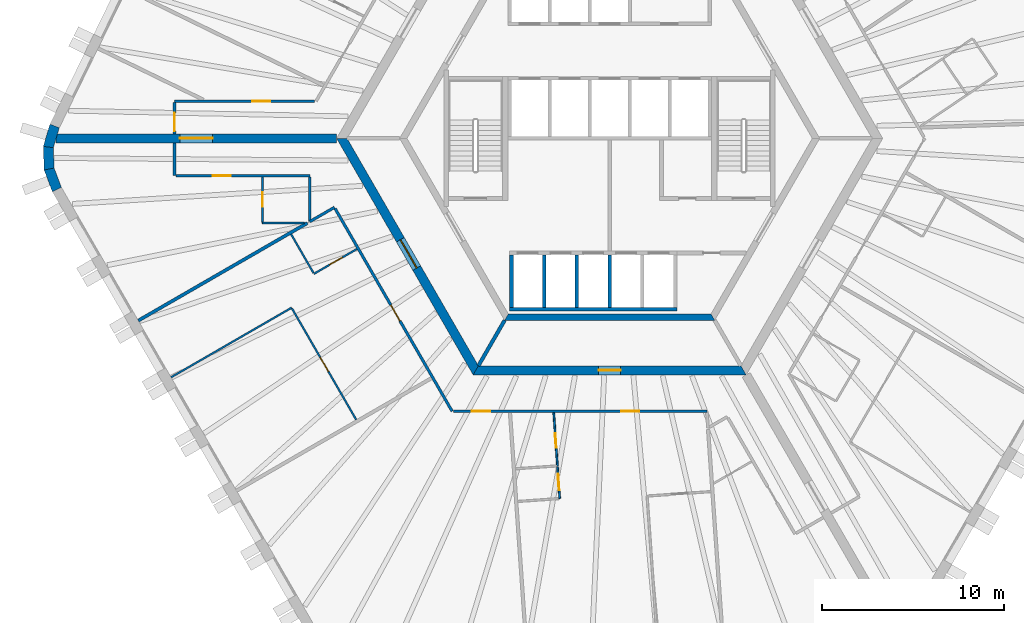
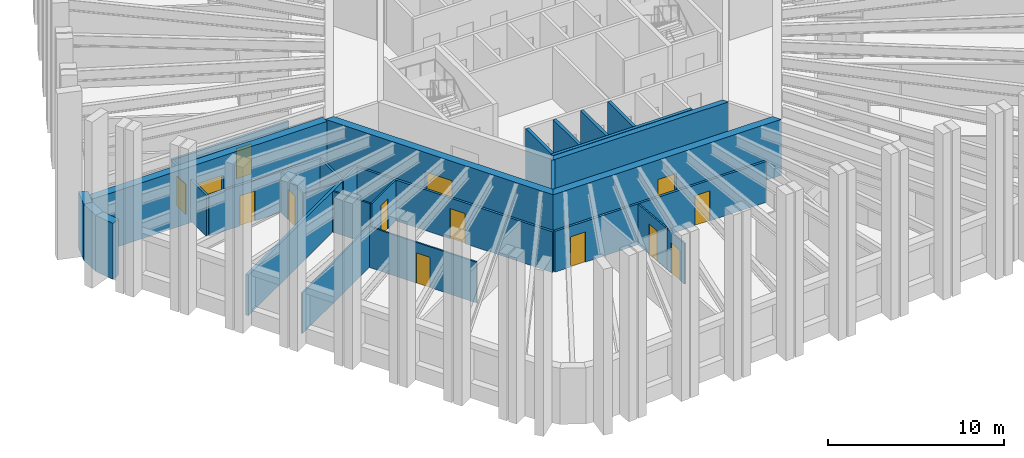
# One storey, part 3 of 10: 30 walls, 14 doors, 14 openings.
"""IFC4 building model written with IfcOpenShell, lengths in metres."""

import ifcopenshell
import ifcopenshell.guid

model = None  # the IFC model being written
_history = None  # IfcOwnerHistory: only IFC2X3 demands one
_inside = {}  # id of a spatial element -> (the spatial element, [elements in it])
_under = {}  # id of a project, library or spatial element -> (it, [spatial elements below it])
_declared = {}  # id of a project -> (the project, [libraries it declares])
_typed = {}  # id of a type object -> (the type object, [elements of that type])
_made_of = {}  # id of a material, layer set ... -> (it, [elements and type objects made of it])


def new_model(schema):
    """Start an empty IFC model of exactly this schema.

    Asked for "IFC4X3", IfcOpenShell would pick the latest addendum, in which some entities
    have other attributes; the version numbers below select the first issue.
    IFC2X3 requires an IfcOwnerHistory on every rooted entity: one is made here for all.
    """
    global model, _history
    if schema == "IFC4X3":
        model = ifcopenshell.file(schema_version=(4, 3, 0, 0))
    else:
        model = ifcopenshell.file(schema=schema)
    _inside.clear()
    _under.clear()
    _declared.clear()
    _typed.clear()
    _made_of.clear()
    _history = None
    if model.schema == "IFC2X3":
        org = make("IfcOrganization", Name="unknown")
        user = make(
            "IfcPersonAndOrganization",
            ThePerson=make("IfcPerson", FamilyName="unknown"),
            TheOrganization=org,
        )
        app = make(
            "IfcApplication",
            ApplicationDeveloper=org,
            Version="unknown",
            ApplicationFullName="unknown",
            ApplicationIdentifier="unknown",
        )
        _history = make(
            "IfcOwnerHistory",
            OwningUser=user,
            OwningApplication=app,
            ChangeAction="ADDED",
            CreationDate=0,
        )
    return model


def make(cls, **values):
    """One entity of the class cls with the attributes given. An attribute that is None is left unset."""
    return model.create_entity(
        cls, **{name: value for name, value in values.items() if value is not None}
    )


def rooted(cls, **values):
    """An entity with a GlobalId (a new one), such as an element, a storey or a relation."""
    return make(cls, GlobalId=ifcopenshell.guid.new(), OwnerHistory=_history, **values)


def si_unit(unit_type, name, prefix=None):
    """IfcSIUnit, for example si_unit("LENGTHUNIT", "METRE", prefix="MILLI")."""
    return make("IfcSIUnit", UnitType=unit_type, Prefix=prefix, Name=name)


def assignment(units):
    """IfcUnitAssignment: the units of a project."""
    return None if units is None else make("IfcUnitAssignment", Units=units)


def point(xyz):
    """IfcCartesianPoint."""
    return None if xyz is None else make("IfcCartesianPoint", Coordinates=xyz)


def direction(xyz):
    """IfcDirection."""
    return None if xyz is None else make("IfcDirection", DirectionRatios=xyz)


def frame(location, z_axis=None, x_axis=None):
    """IfcAxis2Placement3D, a coordinate frame: its origin and axes. An axis left out is left unset."""
    return make(
        "IfcAxis2Placement3D",
        Location=point(location),
        Axis=direction(z_axis),
        RefDirection=direction(x_axis),
    )


def frame_2d(location, x_axis=None):
    """IfcAxis2Placement2D, a coordinate frame in the plane: its origin and x axis."""
    return make(
        "IfcAxis2Placement2D", Location=point(location), RefDirection=direction(x_axis)
    )


def origin():
    """The frame at (0, 0, 0) with its axes left unset."""
    return frame((0.0, 0.0, 0.0))


def place(relative_to, where):
    """IfcLocalPlacement: puts the frame where relative to a parent placement (None: the world)."""
    return make(
        "IfcLocalPlacement", PlacementRelTo=relative_to, RelativePlacement=where
    )


def context(
    kind, dimensions, precision=None, world=None, true_north=None, identifier=None
):
    """IfcGeometricRepresentationContext, for example the 3D "Model" context."""
    return make(
        "IfcGeometricRepresentationContext",
        ContextIdentifier=identifier,
        ContextType=kind,
        CoordinateSpaceDimension=dimensions,
        Precision=precision,
        WorldCoordinateSystem=world,
        TrueNorth=true_north,
    )


def subcontext(parent, identifier, kind, view, scale=None):
    """IfcGeometricRepresentationSubContext, for example "Body" below "Model"."""
    return make(
        "IfcGeometricRepresentationSubContext",
        ContextIdentifier=identifier,
        ContextType=kind,
        ParentContext=parent,
        TargetScale=scale,
        TargetView=view,
    )


def project(units=None, contexts=None):
    """IfcProject with its units and contexts."""
    return rooted(
        "IfcProject",
        Name="project",
        RepresentationContexts=contexts,
        UnitsInContext=assignment(units),
    )


def spatial(cls, under=None, at=None, **own):
    """A site, building, storey or space (cls), placed at a placement, below another one or the project."""
    s = rooted(cls, ObjectPlacement=at, **own)
    if under is not None:
        _under.setdefault(under.id(), (under, []))[1].append(s)
    return s


def polyline(points):
    """IfcPolyline through the points."""
    return make("IfcPolyline", Points=[point(p) for p in points])


def profile(cls, at=None, kind="AREA", **sizes):
    """A parametric profile (cls). Its sizes go by their IFC names, for example OverallWidth=200.0."""
    return make(cls, ProfileType=kind, Position=at, **sizes)


def rectangle(**sizes):
    """IfcRectangleProfileDef."""
    return profile("IfcRectangleProfileDef", **sizes)


def outline(outer, holes=None, kind="AREA"):
    """IfcArbitraryClosedProfileDef: a profile drawn as a closed curve; with holes, ...WithVoids."""
    if holes is None:
        return make("IfcArbitraryClosedProfileDef", ProfileType=kind, OuterCurve=outer)
    return make(
        "IfcArbitraryProfileDefWithVoids",
        ProfileType=kind,
        OuterCurve=outer,
        InnerCurves=holes,
    )


def extrude(swept, where, along, depth):
    """IfcExtrudedAreaSolid: the profile swept, set in the frame where, extruded along a direction by depth."""
    return make(
        "IfcExtrudedAreaSolid",
        SweptArea=swept,
        Position=where,
        ExtrudedDirection=direction(along),
        Depth=depth,
    )


def shape(context_of_items, identifier, shape_type, items):
    """IfcShapeRepresentation: the items that make up one representation, for example the "Body"."""
    return make(
        "IfcShapeRepresentation",
        ContextOfItems=context_of_items,
        RepresentationIdentifier=identifier,
        RepresentationType=shape_type,
        Items=items,
    )


def material(Name=None, Category=None):
    """IfcMaterial."""
    return make("IfcMaterial", Name=Name, Category=Category)


def layer(
    of_material, thickness, ventilated=None, Name=None, Category=None, Priority=None
):
    """IfcMaterialLayer: one layer of a wall or slab, of a material (None: an air gap)."""
    return make(
        "IfcMaterialLayer",
        Material=of_material,
        LayerThickness=thickness,
        IsVentilated=ventilated,
        Name=Name,
        Category=Category,
        Priority=Priority,
    )


def layer_set(layers, Name=None):
    """IfcMaterialLayerSet."""
    return make("IfcMaterialLayerSet", MaterialLayers=layers, LayerSetName=Name)


def made_of(thing, what):
    """Note that an element or type object is made of a material, layer set ...; save() writes the relation."""
    if what is not None:
        _made_of.setdefault(what.id(), (what, []))[1].append(thing)
    return thing


def type_object(cls, material=None, **own):
    """A type object (cls), such as IfcWallType, which elements share."""
    return made_of(rooted(cls, **own), material)


def element(
    cls,
    number,
    at=None,
    inside=None,
    cuts=None,
    type_object=None,
    material=None,
    context=None,
    identifier="Body",
    shape_type=None,
    held_by="IfcProductDefinitionShape",
    body=None,
    shapes=None,
    **own,
):
    """One element of the class cls, such as IfcWall. Its Tag is "e" and its number.

    at: its placement. inside: the storey or other place that contains it. cuts: it is an
    opening in that element (IfcRelVoidsElement). A single representation is given by context,
    identifier, shape_type and body (its items); several are given by shapes. held_by: the class
    of the entity that holds the representations. save() writes the other relations.
    """
    e = rooted(cls, Tag="e%d" % number, ObjectPlacement=at, **own)
    if body is not None:
        shapes = [shape(context, identifier, shape_type, body)]
    if shapes is not None:
        e.Representation = make(held_by, Representations=shapes)
    if inside is not None:
        _inside.setdefault(inside.id(), (inside, []))[1].append(e)
    if cuts is not None:
        rooted(
            "IfcRelVoidsElement", RelatingBuildingElement=cuts, RelatedOpeningElement=e
        )
    if type_object is not None:
        _typed.setdefault(type_object.id(), (type_object, []))[1].append(e)
    return made_of(e, material)


def fill(opening, filler):
    """IfcRelFillsElement: the door or window that sits in an opening."""
    return rooted(
        "IfcRelFillsElement",
        RelatingOpeningElement=opening,
        RelatedBuildingElement=filler,
    )


def aggregate(whole, parts):
    """IfcRelAggregates: a whole, such as a stair, and the parts it consists of."""
    return rooted("IfcRelAggregates", RelatingObject=whole, RelatedObjects=parts)


def save(model, path):
    """Write the relations noted so far, then the file.

    IfcRelAggregates (storeys below a building ...), IfcRelContainedInSpatialStructure (elements
    in a storey), IfcRelDefinesByType, IfcRelAssociatesMaterial and IfcRelDeclares: one each for
    every whole, place, type object, material and project.
    """
    for whole, parts in _under.values():
        aggregate(whole, parts)
    for where, things in _inside.values():
        rooted(
            "IfcRelContainedInSpatialStructure",
            RelatedElements=things,
            RelatingStructure=where,
        )
    for kind, things in _typed.values():
        rooted("IfcRelDefinesByType", RelatedObjects=things, RelatingType=kind)
    for what, things in _made_of.values():
        rooted("IfcRelAssociatesMaterial", RelatedObjects=things, RelatingMaterial=what)
    for by, libraries in _declared.values():
        rooted("IfcRelDeclares", RelatingContext=by, RelatedDefinitions=libraries)
    model.write(path)


model = new_model("IFC4")

# Units and contexts
model_context = context("Model", 3, precision=1e-05, world=origin(), true_north=direction((0.0, 1.0)))
body_context = subcontext(model_context, "Body", "Model", "MODEL_VIEW")
ifc_project = project(units=[si_unit("LENGTHUNIT", "METRE"), si_unit("AREAUNIT", "SQUARE_METRE"), si_unit("VOLUMEUNIT", "CUBIC_METRE"), si_unit("PLANEANGLEUNIT", "RADIAN"), si_unit("MASSUNIT", "GRAM", prefix="KILO")], contexts=[model_context])

# Site, building, storey
site_placement = place(None, origin())
site = spatial("IfcSite", under=ifc_project, at=site_placement, CompositionType="ELEMENT")
building_placement = place(site_placement, origin())
building = spatial("IfcBuilding", under=site, at=building_placement, Name="Tarnside Tower", CompositionType="ELEMENT")
storey_placement = place(building_placement, frame((0.0, 0.0, 238.5)))
storey = spatial("IfcBuildingStorey", under=building, at=storey_placement, Name="L57", CompositionType="ELEMENT", Elevation=238.5)

# Wall
ifc_material_1 = material(Name="Gypsum board partition on steel studs", Category="steel")
ifc_layer_1 = layer(ifc_material_1, 0.10009765625)
ifc_layer_set_1 = layer_set([ifc_layer_1], Name="Bathroom wall 100")
wall_type_1 = type_object("IfcWallType", Name="Bathroom wall 100", PredefinedType="PARTITIONING", material=ifc_layer_set_1)
wall_1_placement = place(storey_placement, frame((-16.79833984375, -4.64990234375, 0.0), z_axis=(0.0, 0.0, 1.0), x_axis=(-1.0, 0.0, 0.0)))
element("IfcWall", 1, at=wall_1_placement, inside=storey, type_object=wall_type_1, Name="Bathroom wall 19075", PredefinedType="PARTITIONING", context=body_context, shape_type="SweptSolid", body=[
    extrude(rectangle(XDim=2.28857421875, YDim=0.10009765625, at=frame_2d((1.144287109375, 0.0))), origin(), (0.0, 0.0, 1.0), 2.837890625),
])

# Wall, opening, door
wall_2_placement = place(storey_placement, frame((-19.0869140625, -4.60009765625, 0.0), z_axis=(0.0, 0.0, 1.0), x_axis=(0.0, 1.0, 0.0)))
wall_2 = element("IfcWall", 2, at=wall_2_placement, inside=storey, type_object=wall_type_1, Name="Bathroom wall 19076", PredefinedType="PARTITIONING", context=body_context, shape_type="SweptSolid", body=[
    extrude(rectangle(XDim=2.47509765625, YDim=0.10009765625, at=frame_2d((1.237548828125, 0.0))), origin(), (0.0, 0.0, 1.0), 2.837890625),
])
opening_1_placement = place(wall_2_placement, frame((0.85009765625, 0.0, 0.0)))
opening_1 = element("IfcOpeningElement", 3, at=opening_1_placement, cuts=wall_2, Name="Opening D-B1", PredefinedType="OPENING", context=body_context, shape_type="SweptSolid", body=[
    extrude(rectangle(XDim=0.800048828125, YDim=2.10009765625, at=frame_2d((0.39990234375, 1.050048828125))), frame((0.0, 0.06005859375, 0.0), z_axis=(0.0, -1.0, 0.0), x_axis=(1.0, 0.0, 0.0)), (0.0, 0.0, 1.0), 0.1201171875),
])
ifc_material_2 = material(Name="Timber door leaf", Category="wood")
door_type_1 = type_object("IfcDoorType", Name="Bathroom door 800", OperationType="NOTDEFINED", PredefinedType="DOOR", material=ifc_material_2)
door_1_placement = place(opening_1_placement, origin())
door_1 = element("IfcDoor", 4, at=door_1_placement, inside=storey, type_object=door_type_1, Name="Bathroom door 19015", OperationType="SINGLE_SWING_RIGHT", OverallHeight=2.10009765625, OverallWidth=0.800048828125, PredefinedType="DOOR", context=body_context, shape_type="SweptSolid", body=[
    extrude(rectangle(XDim=0.800048828125, YDim=2.10009765625, at=frame_2d((0.39990234375, 1.050048828125))), frame((0.0, 0.02490234375, 0.0), z_axis=(0.0, -1.0, 0.0), x_axis=(1.0, 0.0, 0.0)), (0.0, 0.0, 1.0), 0.050048828125),
])
fill(opening_1, door_1)

wall_3_placement = place(storey_placement, frame((-13.896484375, -6.080810546875, 0.0), z_axis=(0.0, 0.0, 1.0), x_axis=(-0.866012511928, -0.500022328685, 0.0)))
wall_3 = element("IfcWall", 5, at=wall_3_placement, inside=storey, type_object=wall_type_1, Name="Bathroom wall 19079", PredefinedType="PARTITIONING", context=body_context, shape_type="SweptSolid", body=[
    extrude(rectangle(XDim=2.72509765625, YDim=0.10009765625, at=frame_2d((1.362548828125, 0.0))), origin(), (0.0, 0.0, 1.0), 2.837890625),
])
opening_2_placement = place(wall_3_placement, frame((0.925048828125, 0.0, 0.0)))
opening_2 = element("IfcOpeningElement", 6, at=opening_2_placement, cuts=wall_3, Name="Opening D-B1", PredefinedType="OPENING", context=body_context, shape_type="SweptSolid", body=[
    extrude(rectangle(XDim=0.800048828125, YDim=2.10009765625, at=frame_2d((0.39990234375, 1.050048828125))), frame((0.0, 0.06005859375, 0.0), z_axis=(0.0, -1.0, 0.0), x_axis=(1.0, 0.0, 0.0)), (0.0, 0.0, 1.0), 0.1201171875),
])
door_2_placement = place(opening_2_placement, origin())
door_2 = element("IfcDoor", 7, at=door_2_placement, inside=storey, type_object=door_type_1, Name="Bathroom door 19017", OperationType="SINGLE_SWING_RIGHT", OverallHeight=2.10009765625, OverallWidth=0.800048828125, PredefinedType="DOOR", context=body_context, shape_type="SweptSolid", body=[
    extrude(rectangle(XDim=0.800048828125, YDim=2.10009765625, at=frame_2d((0.39990234375, 1.050048828125))), frame((0.0, 0.02490234375, 0.0), z_axis=(0.0, -1.0, 0.0), x_axis=(1.0, 0.0, 0.0)), (0.0, 0.0, 1.0), 0.050048828125),
])
fill(opening_2, door_2)

# Wall
wall_4_placement = place(storey_placement, frame((-16.28125, -7.39990234375, 0.0), z_axis=(0.0, 0.0, 1.0), x_axis=(-0.500003092839, 0.866023618125, 0.0)))
element("IfcWall", 8, at=wall_4_placement, inside=storey, type_object=wall_type_1, Name="Bathroom wall 19080", PredefinedType="PARTITIONING", context=body_context, shape_type="SweptSolid", body=[
    extrude(rectangle(XDim=2.4599609375, YDim=0.10009765625, at=frame_2d((1.22998046875, 0.0))), origin(), (0.0, 0.0, 1.0), 2.837890625),
])

# Wall, opening, door
wall_5_placement = place(storey_placement, frame((-3.073974609375, -15.074951171875, 0.0), z_axis=(0.0, 0.0, 1.0), x_axis=(0.069798496539, -0.99756111085, 0.0)))
wall_5 = element("IfcWall", 9, at=wall_5_placement, inside=storey, type_object=wall_type_1, Name="Bathroom wall 19088", PredefinedType="PARTITIONING", context=body_context, shape_type="SweptSolid", body=[
    extrude(rectangle(XDim=2.9345703125, YDim=0.10009765625, at=frame_2d((1.46728515625, 0.0))), origin(), (0.0, 0.0, 1.0), 2.837890625),
])
opening_3_placement = place(wall_5_placement, frame((1.134521484375, 0.0, 0.0)))
opening_3 = element("IfcOpeningElement", 10, at=opening_3_placement, cuts=wall_5, Name="Opening D-B1", PredefinedType="OPENING", context=body_context, shape_type="SweptSolid", body=[
    extrude(rectangle(XDim=0.800048828125, YDim=2.10009765625, at=frame_2d((0.39990234375, 1.050048828125))), frame((0.0, 0.06005859375, 0.0), z_axis=(0.0, -1.0, 0.0), x_axis=(1.0, 0.0, 0.0)), (0.0, 0.0, 1.0), 0.1201171875),
])
door_3_placement = place(opening_3_placement, origin())
door_3 = element("IfcDoor", 11, at=door_3_placement, inside=storey, type_object=door_type_1, Name="Bathroom door 19021", OperationType="SINGLE_SWING_LEFT", OverallHeight=2.10009765625, OverallWidth=0.800048828125, PredefinedType="DOOR", context=body_context, shape_type="SweptSolid", body=[
    extrude(rectangle(XDim=0.800048828125, YDim=2.10009765625, at=frame_2d((0.39990234375, 1.050048828125))), frame((0.0, 0.02490234375, 0.0), z_axis=(0.0, -1.0, 0.0), x_axis=(1.0, 0.0, 0.0)), (0.0, 0.0, 1.0), 0.050048828125),
])
fill(opening_3, door_3)

# Wall
ifc_material_3 = material(Name="Concrete C50/60", Category="concrete")
ifc_layer_2 = layer(ifc_material_3, 0.35009765625)
ifc_layer_set_2 = layer_set([ifc_layer_2], Name="Core block wall 350 C50/60")
wall_type_2 = type_object("IfcWallType", Name="Core block wall 350 C50/60", PredefinedType="SHEAR", material=ifc_layer_set_2)
wall_6_placement = place(storey_placement, frame((-5.672607421875, -9.824951171875, -0.14990234375), z_axis=(0.0, 0.0, 1.0), x_axis=(1.0, 0.0, 0.0)))
element("IfcWall", 12, at=wall_6_placement, inside=storey, type_object=wall_type_2, Name="L57 core block wall face 4", PredefinedType="SHEAR", context=body_context, shape_type="SweptSolid", body=[
    extrude(outline(polyline([(-0.10107421875, -0.175048828125), (11.4462890625, -0.175048828125), (11.244140625, 0.175048828125), (0.10107421875, 0.175048828125), (-0.10107421875, -0.175048828125)])), origin(), (0.0, 0.0, 1.0), 3.89990234375),
])

# Wall, opening, door
ifc_material_4 = material(Name="Concrete C70/85", Category="concrete")
ifc_layer_3 = layer(ifc_material_4, 0.5)
ifc_layer_set_3 = layer_set([ifc_layer_3], Name="Core wall Z2 500 C70/85")
wall_type_3 = type_object("IfcWallType", Name="Core wall Z2 500 C70/85", PredefinedType="SHEAR", material=ifc_layer_set_3)
wall_7_placement = place(storey_placement, frame((-14.722412109375, 0.0, -0.14990234375), z_axis=(0.0, 0.0, 1.0), x_axis=(0.50000571537, -0.866022103989, 0.0)))
wall_7 = element("IfcWall", 13, at=wall_7_placement, inside=storey, type_object=wall_type_3, Name="L57 core wall face 3", PredefinedType="SHEAR", context=body_context, shape_type="SweptSolid", body=[
    extrude(outline(polyline([(-0.144287109375, -0.25), (14.86669921875, -0.25), (14.578125, 0.25), (0.144287109375, 0.25), (-0.144287109375, -0.25)])), origin(), (0.0, 0.0, 1.0), 3.89990234375),
])
opening_4_placement = place(wall_7_placement, frame((6.432373046875, 0.0, 0.14990234375)))
opening_4 = element("IfcOpeningElement", 14, at=opening_4_placement, cuts=wall_7, Name="Opening CD-FFL", PredefinedType="OPENING", context=body_context, shape_type="SweptSolid", body=[
    extrude(rectangle(XDim=1.800048828125, YDim=2.39990234375, at=frame_2d((0.89990234375, 1.199951171875))), frame((0.0, 0.260009765625, 0.0), z_axis=(0.0, -1.0, 0.0), x_axis=(1.0, 0.0, 0.0)), (0.0, 0.0, 1.0), 0.52001953125),
])
ifc_material_5 = material(Name="Steel fire door", Category="steel")
door_type_2 = type_object("IfcDoorType", Name="Firefighting lobby double door FD60S 1800x2400", OperationType="NOTDEFINED", PredefinedType="DOOR", material=ifc_material_5)
door_4_placement = place(opening_4_placement, origin())
door_4 = element("IfcDoor", 15, at=door_4_placement, inside=storey, type_object=door_type_2, Name="L57 core door P3", OperationType="DOUBLE_DOOR_SINGLE_SWING", OverallHeight=2.39990234375, OverallWidth=1.800048828125, PredefinedType="DOOR", context=body_context, shape_type="SweptSolid", body=[
    extrude(rectangle(XDim=1.800048828125, YDim=2.39990234375, at=frame_2d((0.89990234375, 1.199951171875))), frame((0.0, 0.02490234375, 0.0), z_axis=(0.0, -1.0, 0.0), x_axis=(1.0, 0.0, 0.0)), (0.0, 0.0, 1.0), 0.050048828125),
])
fill(opening_4, door_4)

wall_8_placement = place(storey_placement, frame((-7.361083984375, -12.75, -0.14990234375), z_axis=(0.0, 0.0, 1.0), x_axis=(1.0, 0.0, 0.0)))
wall_8 = element("IfcWall", 16, at=wall_8_placement, inside=storey, type_object=wall_type_3, Name="L57 core wall face 4", PredefinedType="SHEAR", context=body_context, shape_type="SweptSolid", body=[
    extrude(outline(polyline([(-0.144287109375, -0.25), (14.866455078125, -0.25), (14.577880859375, 0.25), (0.144287109375, 0.25), (-0.144287109375, -0.25)])), origin(), (0.0, 0.0, 1.0), 3.89990234375),
])
opening_5_placement = place(wall_8_placement, frame((6.76123046875, 0.0, 0.14990234375)))
opening_5 = element("IfcOpeningElement", 17, at=opening_5_placement, cuts=wall_8, Name="Opening CD-RSR", PredefinedType="OPENING", context=body_context, shape_type="SweptSolid", body=[
    extrude(rectangle(XDim=1.199951171875, YDim=2.39990234375, at=frame_2d((0.60009765625, 1.199951171875))), frame((0.0, 0.260009765625, 0.0), z_axis=(0.0, -1.0, 0.0), x_axis=(1.0, 0.0, 0.0)), (0.0, 0.0, 1.0), 0.52001953125),
])
door_type_3 = type_object("IfcDoorType", Name="Riser door FD60 1200x2400", OperationType="NOTDEFINED", PredefinedType="DOOR", material=ifc_material_5)
door_5_placement = place(opening_5_placement, origin())
door_5 = element("IfcDoor", 18, at=door_5_placement, inside=storey, type_object=door_type_3, Name="L57 core door S6", OperationType="SINGLE_SWING_LEFT", OverallHeight=2.39990234375, OverallWidth=1.199951171875, PredefinedType="DOOR", context=body_context, shape_type="SweptSolid", body=[
    extrude(rectangle(XDim=1.199951171875, YDim=2.39990234375, at=frame_2d((0.60009765625, 1.199951171875))), frame((0.0, 0.02490234375, 0.0), z_axis=(0.0, -1.0, 0.0), x_axis=(1.0, 0.0, 0.0)), (0.0, 0.0, 1.0), 0.050048828125),
])
fill(opening_5, door_5)

wall_9_placement = place(storey_placement, frame((-15.010986328125, 0.0, -0.14990234375), z_axis=(0.0, 0.0, 1.0), x_axis=(-1.0, 0.0, 0.0)))
wall_9 = element("IfcWall", 19, at=wall_9_placement, inside=storey, type_object=wall_type_3, Name="L57 spine wall 2", PredefinedType="SHEAR", context=body_context, shape_type="SweptSolid", body=[
    extrude(rectangle(XDim=15.423828125, YDim=0.5, at=frame_2d((7.7119140625, 0.0))), origin(), (0.0, 0.0, 1.0), 3.89990234375),
])
opening_6_placement = place(wall_9_placement, frame((6.811767578125, 0.0, 0.14990234375)))
opening_6 = element("IfcOpeningElement", 20, at=opening_6_placement, cuts=wall_9, Name="Opening CD-SPN", PredefinedType="OPENING", context=body_context, shape_type="SweptSolid", body=[
    extrude(rectangle(XDim=1.800048828125, YDim=2.39990234375, at=frame_2d((0.89990234375, 1.199951171875))), frame((0.0, 0.260009765625, 0.0), z_axis=(0.0, -1.0, 0.0), x_axis=(1.0, 0.0, 0.0)), (0.0, 0.0, 1.0), 0.52001953125),
])
door_type_4 = type_object("IfcDoorType", Name="Spine passage double door FD60 1800x2400", OperationType="NOTDEFINED", PredefinedType="DOOR", material=ifc_material_5)
door_6_placement = place(opening_6_placement, origin())
door_6 = element("IfcDoor", 21, at=door_6_placement, inside=storey, type_object=door_type_4, Name="L57 spine passage door 2", OperationType="DOUBLE_DOOR_SINGLE_SWING", OverallHeight=2.39990234375, OverallWidth=1.800048828125, PredefinedType="DOOR", context=body_context, shape_type="SweptSolid", body=[
    extrude(rectangle(XDim=1.800048828125, YDim=2.39990234375, at=frame_2d((0.89990234375, 1.199951171875))), frame((0.0, 0.02490234375, 0.0), z_axis=(0.0, -1.0, 0.0), x_axis=(1.0, 0.0, 0.0)), (0.0, 0.0, 1.0), 0.050048828125),
])
fill(opening_6, door_6)

ifc_layer_4 = layer(ifc_material_1, 0.14990234375)
ifc_layer_set_4 = layer_set([ifc_layer_4], Name="Corridor wall 150 EI 60")
wall_type_4 = type_object("IfcWallType", Name="Corridor wall 150 EI 60", PredefinedType="PARTITIONING", material=ifc_layer_set_4)
wall_10_placement = place(storey_placement, frame((-16.2236328125, 2.050048828125, 0.0), z_axis=(0.0, 0.0, 1.0), x_axis=(-1.0, 0.0, 0.0)))
wall_10 = element("IfcWall", 22, at=wall_10_placement, inside=storey, type_object=wall_type_4, Name="Corridor wall 19015", PredefinedType="PARTITIONING", context=body_context, shape_type="SweptSolid", body=[
    extrude(rectangle(XDim=7.69921875, YDim=0.14990234375, at=frame_2d((3.849609375, 0.0))), origin(), (0.0, 0.0, 1.0), 2.837890625),
])
opening_7_placement = place(wall_10_placement, frame((2.4365234375, 0.0, 0.0)))
opening_7 = element("IfcOpeningElement", 23, at=opening_7_placement, cuts=wall_10, Name="Opening D-E1", PredefinedType="OPENING", context=body_context, shape_type="SweptSolid", body=[
    extrude(rectangle(XDim=1.0, YDim=2.10009765625, at=frame_2d((0.5, 1.050048828125))), frame((0.0, 0.0849609375, 0.0), z_axis=(0.0, -1.0, 0.0), x_axis=(1.0, 0.0, 0.0)), (0.0, 0.0, 1.0), 0.169921875),
])
door_type_5 = type_object("IfcDoorType", Name="Unit entrance door 1000 FD30S", OperationType="NOTDEFINED", PredefinedType="DOOR", material=ifc_material_2)
door_7_placement = place(opening_7_placement, origin())
door_7 = element("IfcDoor", 24, at=door_7_placement, inside=storey, type_object=door_type_5, Name="Unit door 19012", OperationType="SINGLE_SWING_RIGHT", OverallHeight=2.10009765625, OverallWidth=1.0, PredefinedType="DOOR", context=body_context, shape_type="SweptSolid", body=[
    extrude(rectangle(XDim=1.0, YDim=2.10009765625, at=frame_2d((0.5, 1.050048828125))), frame((0.0, 0.02490234375, 0.0), z_axis=(0.0, -1.0, 0.0), x_axis=(1.0, 0.0, 0.0)), (0.0, 0.0, 1.0), 0.050048828125),
])
fill(opening_7, door_7)

wall_11_placement = place(storey_placement, frame((-23.9228515625, 1.97509765625, 0.0), z_axis=(0.0, 0.0, 1.0), x_axis=(0.0, -1.0, 0.0)))
wall_11 = element("IfcWall", 25, at=wall_11_placement, inside=storey, type_object=wall_type_4, Name="Corridor wall 19017", PredefinedType="PARTITIONING", context=body_context, shape_type="SweptSolid", body=[
    extrude(rectangle(XDim=1.72509765625, YDim=0.14990234375, at=frame_2d((0.862548828125, 0.0))), origin(), (0.0, 0.0, 1.0), 2.837890625),
])
opening_8_placement = place(wall_11_placement, frame((0.574951171875, 0.0, 0.0)))
opening_8 = element("IfcOpeningElement", 26, at=opening_8_placement, cuts=wall_11, Name="Opening D-E1", PredefinedType="OPENING", context=body_context, shape_type="SweptSolid", body=[
    extrude(rectangle(XDim=1.0, YDim=2.10009765625, at=frame_2d((0.5, 1.050048828125))), frame((0.0, 0.0849609375, 0.0), z_axis=(0.0, -1.0, 0.0), x_axis=(1.0, 0.0, 0.0)), (0.0, 0.0, 1.0), 0.169921875),
])
door_8_placement = place(opening_8_placement, origin())
door_8 = element("IfcDoor", 27, at=door_8_placement, inside=storey, type_object=door_type_5, Name="Unit door 19013", OperationType="SINGLE_SWING_LEFT", OverallHeight=2.10009765625, OverallWidth=1.0, PredefinedType="DOOR", context=body_context, shape_type="SweptSolid", body=[
    extrude(rectangle(XDim=1.0, YDim=2.10009765625, at=frame_2d((0.5, 1.050048828125))), frame((0.0, 0.02490234375, 0.0), z_axis=(0.0, -1.0, 0.0), x_axis=(1.0, 0.0, 0.0)), (0.0, 0.0, 1.0), 0.050048828125),
])
fill(opening_8, door_8)

# Wall
wall_12_placement = place(storey_placement, frame((-23.9228515625, -0.25, 0.0), z_axis=(0.0, 0.0, 1.0), x_axis=(0.0, -1.0, 0.0)))
element("IfcWall", 28, at=wall_12_placement, inside=storey, type_object=wall_type_4, Name="Corridor wall 19018", PredefinedType="PARTITIONING", context=body_context, shape_type="SweptSolid", body=[
    extrude(rectangle(XDim=1.800048828125, YDim=0.14990234375, at=frame_2d((0.89990234375, 0.0))), origin(), (0.0, 0.0, 1.0), 2.837890625),
])

# Wall, opening, door
wall_13_placement = place(storey_placement, frame((-23.847900390625, -2.050048828125, 0.0), z_axis=(0.0, 0.0, 1.0), x_axis=(1.0, 0.0, 0.0)))
wall_13 = element("IfcWall", 29, at=wall_13_placement, inside=storey, type_object=wall_type_4, Name="Corridor wall 19019", PredefinedType="PARTITIONING", context=body_context, shape_type="SweptSolid", body=[
    extrude(rectangle(XDim=7.36083984375, YDim=0.14990234375, at=frame_2d((3.680419921875, 0.0))), origin(), (0.0, 0.0, 1.0), 2.837890625),
])
opening_9_placement = place(wall_13_placement, frame((2.01806640625, 0.0, 0.0)))
opening_9 = element("IfcOpeningElement", 30, at=opening_9_placement, cuts=wall_13, Name="Opening D-E1", PredefinedType="OPENING", context=body_context, shape_type="SweptSolid", body=[
    extrude(rectangle(XDim=1.0, YDim=2.10009765625, at=frame_2d((0.5, 1.050048828125))), frame((0.0, 0.0849609375, 0.0), z_axis=(0.0, -1.0, 0.0), x_axis=(1.0, 0.0, 0.0)), (0.0, 0.0, 1.0), 0.169921875),
])
door_9_placement = place(opening_9_placement, origin())
door_9 = element("IfcDoor", 31, at=door_9_placement, inside=storey, type_object=door_type_5, Name="Unit door 19014", OperationType="SINGLE_SWING_LEFT", OverallHeight=2.10009765625, OverallWidth=1.0, PredefinedType="DOOR", context=body_context, shape_type="SweptSolid", body=[
    extrude(rectangle(XDim=1.0, YDim=2.10009765625, at=frame_2d((0.5, 1.050048828125))), frame((0.0, 0.02490234375, 0.0), z_axis=(0.0, -1.0, 0.0), x_axis=(1.0, 0.0, 0.0)), (0.0, 0.0, 1.0), 0.050048828125),
])
fill(opening_9, door_9)

# Wall
wall_14_placement = place(storey_placement, frame((-16.487060546875, -2.125, 0.0), z_axis=(0.0, 0.0, 1.0), x_axis=(0.0, -1.0, 0.0)))
element("IfcWall", 32, at=wall_14_placement, inside=storey, type_object=wall_type_4, Name="Corridor wall 19021", PredefinedType="PARTITIONING", context=body_context, shape_type="SweptSolid", body=[
    extrude(rectangle(XDim=2.44921875, YDim=0.14990234375, at=frame_2d((1.224609375, 0.0))), origin(), (0.0, 0.0, 1.0), 2.837890625),
])

# Wall, opening, door
wall_15_placement = place(storey_placement, frame((-15.093994140625, -3.8564453125, 0.0), z_axis=(0.0, 0.0, 1.0), x_axis=(0.500006037985, -0.866021917724, 0.0)))
wall_15 = element("IfcWall", 33, at=wall_15_placement, inside=storey, type_object=wall_type_4, Name="Corridor wall 19022", PredefinedType="PARTITIONING", context=body_context, shape_type="SweptSolid", body=[
    extrude(rectangle(XDim=12.867431640625, YDim=0.14990234375, at=frame_2d((6.43359375, 0.0))), origin(), (0.0, 0.0, 1.0), 2.837890625),
])
opening_10_placement = place(wall_15_placement, frame((6.125, 0.0, 0.0)))
opening_10 = element("IfcOpeningElement", 34, at=opening_10_placement, cuts=wall_15, Name="Opening D-E1", PredefinedType="OPENING", context=body_context, shape_type="SweptSolid", body=[
    extrude(rectangle(XDim=1.0, YDim=2.10009765625, at=frame_2d((0.5, 1.050048828125))), frame((0.0, 0.0849609375, 0.0), z_axis=(0.0, -1.0, 0.0), x_axis=(1.0, 0.0, 0.0)), (0.0, 0.0, 1.0), 0.169921875),
])
door_10_placement = place(opening_10_placement, origin())
door_10 = element("IfcDoor", 35, at=door_10_placement, inside=storey, type_object=door_type_5, Name="Unit door 19016", OperationType="SINGLE_SWING_LEFT", OverallHeight=2.10009765625, OverallWidth=1.0, PredefinedType="DOOR", context=body_context, shape_type="SweptSolid", body=[
    extrude(rectangle(XDim=1.0, YDim=2.10009765625, at=frame_2d((0.5, 1.050048828125))), frame((0.0, 0.02490234375, 0.0), z_axis=(0.0, -1.0, 0.0), x_axis=(1.0, 0.0, 0.0)), (0.0, 0.0, 1.0), 0.050048828125),
])
fill(opening_10, door_10)

# Wall
wall_16_placement = place(storey_placement, frame((-16.490234375, -4.576171875, 0.0), z_axis=(0.0, 0.0, 1.0), x_axis=(0.865993845424, 0.5000546567, 0.0)))
element("IfcWall", 36, at=wall_16_placement, inside=storey, type_object=wall_type_4, Name="Corridor wall 19023", PredefinedType="PARTITIONING", context=body_context, shape_type="SweptSolid", body=[
    extrude(rectangle(XDim=1.569091796875, YDim=0.14990234375, at=frame_2d((0.78466796875, 0.0))), origin(), (0.0, 0.0, 1.0), 2.837890625),
])

# Wall, openings, doors
wall_17_placement = place(storey_placement, frame((-8.57373046875, -15.0, 0.0), z_axis=(0.0, 0.0, 1.0), x_axis=(1.0, 0.0, 0.0)))
wall_17 = element("IfcWall", 37, at=wall_17_placement, inside=storey, type_object=wall_type_4, Name="Corridor wall 19026", PredefinedType="PARTITIONING", context=body_context, shape_type="SweptSolid", body=[
    extrude(rectangle(XDim=13.9150390625, YDim=0.14990234375, at=frame_2d((6.95751953125, 0.0))), origin(), (0.0, 0.0, 1.0), 2.837890625),
])
opening_11_placement = place(wall_17_placement, frame((1.0009765625, 0.0, 0.0)))
opening_11 = element("IfcOpeningElement", 38, at=opening_11_placement, cuts=wall_17, Name="Opening D-E1", PredefinedType="OPENING", context=body_context, shape_type="SweptSolid", body=[
    extrude(rectangle(XDim=1.0, YDim=2.10009765625, at=frame_2d((0.5, 1.050048828125))), frame((0.0, 0.0849609375, 0.0), z_axis=(0.0, -1.0, 0.0), x_axis=(1.0, 0.0, 0.0)), (0.0, 0.0, 1.0), 0.169921875),
])
opening_12_placement = place(wall_17_placement, frame((9.198974609375, 0.0, 0.0)))
opening_12 = element("IfcOpeningElement", 39, at=opening_12_placement, cuts=wall_17, Name="Opening D-E1", PredefinedType="OPENING", context=body_context, shape_type="SweptSolid", body=[
    extrude(rectangle(XDim=1.0, YDim=2.10009765625, at=frame_2d((0.5, 1.050048828125))), frame((0.0, 0.0849609375, 0.0), z_axis=(0.0, -1.0, 0.0), x_axis=(1.0, 0.0, 0.0)), (0.0, 0.0, 1.0), 0.169921875),
])
door_11_placement = place(opening_11_placement, origin())
door_11 = element("IfcDoor", 40, at=door_11_placement, inside=storey, type_object=door_type_5, Name="Unit door 19019", OperationType="SINGLE_SWING_RIGHT", OverallHeight=2.10009765625, OverallWidth=1.0, PredefinedType="DOOR", context=body_context, shape_type="SweptSolid", body=[
    extrude(rectangle(XDim=1.0, YDim=2.10009765625, at=frame_2d((0.5, 1.050048828125))), frame((0.0, 0.02490234375, 0.0), z_axis=(0.0, -1.0, 0.0), x_axis=(1.0, 0.0, 0.0)), (0.0, 0.0, 1.0), 0.050048828125),
])
fill(opening_11, door_11)
door_12_placement = place(opening_12_placement, origin())
door_12 = element("IfcDoor", 41, at=door_12_placement, inside=storey, type_object=door_type_5, Name="Unit door 19020", OperationType="SINGLE_SWING_RIGHT", OverallHeight=2.10009765625, OverallWidth=1.0, PredefinedType="DOOR", context=body_context, shape_type="SweptSolid", body=[
    extrude(rectangle(XDim=1.0, YDim=2.10009765625, at=frame_2d((0.5, 1.050048828125))), frame((0.0, 0.02490234375, 0.0), z_axis=(0.0, -1.0, 0.0), x_axis=(1.0, 0.0, 0.0)), (0.0, 0.0, 1.0), 0.050048828125),
])
fill(opening_12, door_12)

# Walls
ifc_layer_5 = layer(ifc_material_1, 0.179931640625)
ifc_layer_set_5 = layer_set([ifc_layer_5], Name="Demising wall 180 EI 60")
wall_type_5 = type_object("IfcWallType", Name="Demising wall 180 EI 60", PredefinedType="PARTITIONING", material=ifc_layer_set_5)
wall_18_placement = place(storey_placement, frame((-25.91357421875, -10.0166015625, 0.0), z_axis=(0.0, 0.0, 1.0), x_axis=(0.86602614826, 0.499998710529, 0.0)))
element("IfcWall", 42, at=wall_18_placement, inside=storey, type_object=wall_type_5, Name="Demising wall 19077", PredefinedType="PARTITIONING", context=body_context, shape_type="SweptSolid", body=[
    extrude(rectangle(XDim=10.7353515625, YDim=0.179931640625, at=frame_2d((5.36767578125, 0.0))), origin(), (0.0, 0.0, 1.0), 2.837890625),
])
ifc_material_6 = material(Name="Concrete C40/50", Category="concrete")
ifc_layer_6 = layer(ifc_material_6, 0.199951171875)
ifc_layer_set_6 = layer_set([ifc_layer_6], Name="Lift shaft wall 200 C40/50")
wall_type_6 = type_object("IfcWallType", Name="Lift shaft wall 200 C40/50", PredefinedType="SHEAR", material=ifc_layer_set_6)
wall_19_placement = place(storey_placement, frame((-5.5, -9.39990234375, -0.25), z_axis=(0.0, 0.0, 1.0), x_axis=(1.0, 0.0, 0.0)))
element("IfcWall", 43, at=wall_19_placement, inside=storey, type_object=wall_type_6, Name="L57 lift shaft back wall R4", PredefinedType="SHEAR", context=body_context, shape_type="SweptSolid", body=[
    extrude(rectangle(XDim=9.199951171875, YDim=0.199951171875, at=frame_2d((4.60009765625, 0.0))), origin(), (0.0, 0.0, 1.0), 3.89990234375),
])
for number, where, z_axis, x_axis, name in (
    (44, (-5.39990234375, -9.300048828125, -0.25), (0.0, 0.0, 1.0), (0.0, 1.0, 0.0), "L57 lift shaft partition R41"),
    (45, (-3.60009765625, -9.300048828125, -0.25), (0.0, 0.0, 1.0), (0.0, 1.0, 0.0), "L57 lift shaft partition R42"),
    (46, (-1.800048828125, -9.300048828125, -0.25), (0.0, 0.0, 1.0), (0.0, 1.0, 0.0), "L57 lift shaft partition R43"),
    (47, (0.0, -9.300048828125, -0.25), (0.0, 0.0, 1.0), (0.0, 1.0, 0.0), "L57 lift shaft partition R44"),
):
    element("IfcWall", number, at=place(storey_placement, frame(where, z_axis=z_axis, x_axis=x_axis)), inside=storey, type_object=wall_type_6, Name=name, PredefinedType="SHEAR", context=body_context, shape_type="SweptSolid", body=[
        extrude(rectangle(XDim=2.900146484375, YDim=0.199951171875, at=frame_2d((1.4501953125, 0.0))), origin(), (0.0, 0.0, 1.0), 3.89990234375),
    ])
wall_20_placement = place(storey_placement, frame((-5.7734375, -10.0, -0.14990234375), z_axis=(0.0, 0.0, 1.0), x_axis=(-0.499995765644, -0.866027848477, 0.0)))
element("IfcWall", 48, at=wall_20_placement, inside=storey, type_object=wall_type_6, Name="L57 core partition AR240", PredefinedType="SHEAR", context=body_context, shape_type="SweptSolid", body=[
    extrude(rectangle(XDim=2.88671875, YDim=0.199951171875, at=frame_2d((1.443359375, 0.0))), origin(), (0.0, 0.0, 1.0), 3.89990234375),
])
ifc_layer_7 = layer(ifc_material_1, 0.10009765625)
ifc_layer_set_7 = layer_set([ifc_layer_7], Name="Partition 100")
wall_type_7 = type_object("IfcWallType", Name="Partition 100", PredefinedType="PARTITIONING", material=ifc_layer_set_7)
wall_21_placement = place(storey_placement, frame((-24.113525390625, -13.13427734375, 0.0), z_axis=(0.0, 0.0, 1.0), x_axis=(0.866033062874, 0.499986733834, 0.0)))
element("IfcWall", 49, at=wall_21_placement, inside=storey, type_object=wall_type_7, Name="Partition wall 19081", PredefinedType="PARTITIONING", context=body_context, shape_type="SweptSolid", body=[
    extrude(rectangle(XDim=7.650146484375, YDim=0.10009765625, at=frame_2d((3.8251953125, 0.0))), origin(), (0.0, 0.0, 1.0), 2.837890625),
])

# Wall, opening, door
wall_22_placement = place(storey_placement, frame((-17.46337890625, -9.3525390625, 0.0), z_axis=(0.0, 0.0, 1.0), x_axis=(0.499995846692, -0.866027801685, 0.0)))
wall_22 = element("IfcWall", 50, at=wall_22_placement, inside=storey, type_object=wall_type_7, Name="Partition wall 19082", PredefinedType="PARTITIONING", context=body_context, shape_type="SweptSolid", body=[
    extrude(rectangle(XDim=7.06005859375, YDim=0.10009765625, at=frame_2d((3.530029296875, 0.0))), origin(), (0.0, 0.0, 1.0), 2.837890625),
])
opening_13_placement = place(wall_22_placement, frame((3.10009765625, 0.0, 0.0)))
opening_13 = element("IfcOpeningElement", 51, at=opening_13_placement, cuts=wall_22, Name="Opening D-I1", PredefinedType="OPENING", context=body_context, shape_type="SweptSolid", body=[
    extrude(rectangle(XDim=0.89990234375, YDim=2.10009765625, at=frame_2d((0.449951171875, 1.050048828125))), frame((0.0, 0.06005859375, 0.0), z_axis=(0.0, -1.0, 0.0), x_axis=(1.0, 0.0, 0.0)), (0.0, 0.0, 1.0), 0.1201171875),
])
door_type_6 = type_object("IfcDoorType", Name="Internal door 900", OperationType="NOTDEFINED", PredefinedType="DOOR", material=ifc_material_2)
door_13_placement = place(opening_13_placement, origin())
door_13 = element("IfcDoor", 52, at=door_13_placement, inside=storey, type_object=door_type_6, Name="Internal door 19018", OperationType="SINGLE_SWING_RIGHT", OverallHeight=2.10009765625, OverallWidth=0.89990234375, PredefinedType="DOOR", context=body_context, shape_type="SweptSolid", body=[
    extrude(rectangle(XDim=0.89990234375, YDim=2.10009765625, at=frame_2d((0.449951171875, 1.050048828125))), frame((0.0, 0.02490234375, 0.0), z_axis=(0.0, -1.0, 0.0), x_axis=(1.0, 0.0, 0.0)), (0.0, 0.0, 1.0), 0.050048828125),
])
fill(opening_13, door_13)

wall_23_placement = place(storey_placement, frame((-2.86572265625, -18.05224609375, 0.0), z_axis=(0.0, 0.0, 1.0), x_axis=(0.069750000204, -0.997564502913, 0.0)))
wall_23 = element("IfcWall", 53, at=wall_23_placement, inside=storey, type_object=wall_type_7, Name="Partition wall 19089", PredefinedType="PARTITIONING", context=body_context, shape_type="SweptSolid", body=[
    extrude(rectangle(XDim=1.75, YDim=0.10009765625, at=frame_2d((0.875, 0.0))), origin(), (0.0, 0.0, 1.0), 2.837890625),
])
opening_14_placement = place(wall_23_placement, frame((0.39990234375, 0.0, 0.0)))
opening_14 = element("IfcOpeningElement", 54, at=opening_14_placement, cuts=wall_23, Name="Opening D-I1", PredefinedType="OPENING", context=body_context, shape_type="SweptSolid", body=[
    extrude(rectangle(XDim=0.89990234375, YDim=2.10009765625, at=frame_2d((0.449951171875, 1.050048828125))), frame((0.0, 0.06005859375, 0.0), z_axis=(0.0, -1.0, 0.0), x_axis=(1.0, 0.0, 0.0)), (0.0, 0.0, 1.0), 0.1201171875),
])
door_14_placement = place(opening_14_placement, origin())
door_14 = element("IfcDoor", 55, at=door_14_placement, inside=storey, type_object=door_type_6, Name="Internal door 19022", OperationType="SINGLE_SWING_RIGHT", OverallHeight=2.10009765625, OverallWidth=0.89990234375, PredefinedType="DOOR", context=body_context, shape_type="SweptSolid", body=[
    extrude(rectangle(XDim=0.89990234375, YDim=2.10009765625, at=frame_2d((0.449951171875, 1.050048828125))), frame((0.0, 0.02490234375, 0.0), z_axis=(0.0, -1.0, 0.0), x_axis=(1.0, 0.0, 0.0)), (0.0, 0.0, 1.0), 0.050048828125),
])
fill(opening_14, door_14)

# Walls
ifc_material_7 = material(Name="Facing brick", Category="masonry")
ifc_layer_8 = layer(ifc_material_7, 0.10205078125)
ifc_material_8 = material(Name="Concrete C60/75 precast", Category="concrete")
ifc_layer_9 = layer(ifc_material_8, 0.347900390625)
ifc_material_9 = material(Name="Mineral wool insulation")
ifc_layer_10 = layer(ifc_material_9, 0.10009765625)
ifc_layer_set_8 = layer_set([ifc_layer_8, ifc_layer_9, ifc_layer_10], Name="Tube wall 550 brick faced")
wall_type_8 = type_object("IfcWallType", Name="Tube wall 550 brick faced", PredefinedType="SOLIDWALL", material=ifc_layer_set_8)
wall_24_placement = place(storey_placement, frame((-30.51318359375, 0.684326171875, -0.14990234375), z_axis=(0.0, 0.0, 1.0), x_axis=(-0.286736058109, -0.958009620505, 0.0)))
element("IfcWall", 56, at=wall_24_placement, inside=storey, type_object=wall_type_8, Name="Tube wall L57 F2 chord 05", PredefinedType="SOLIDWALL", context=body_context, shape_type="SweptSolid", body=[
    extrude(outline(polyline([(-0.0224609375, -0.27490234375), (1.25341796875, -0.27490234375), (1.1630859375, 0.27490234375), (0.0224609375, 0.27490234375), (-0.0224609375, -0.27490234375)])), origin(), (0.0, 0.0, 1.0), 3.89990234375),
])
wall_25_placement = place(storey_placement, frame((-30.859619140625, -0.47314453125, -0.14990234375), z_axis=(0.0, 0.0, 1.0), x_axis=(0.03495638276, -0.999388838893, 0.0)))
element("IfcWall", 57, at=wall_25_placement, inside=storey, type_object=wall_type_8, Name="Tube wall L57 F2 chord 06", PredefinedType="SOLIDWALL", context=body_context, shape_type="SweptSolid", body=[
    extrude(outline(polyline([(-0.045166015625, -0.27490234375), (1.25341796875, -0.27490234375), (1.1630859375, 0.27490234375), (0.045166015625, 0.27490234375), (-0.045166015625, -0.27490234375)])), origin(), (0.0, 0.0, 1.0), 3.89990234375),
])
wall_26_placement = place(storey_placement, frame((-30.8173828125, -1.6806640625, -0.14990234375), z_axis=(0.0, 0.0, 1.0), x_axis=(0.352850303963, -0.935679786569, 0.0)))
element("IfcWall", 58, at=wall_26_placement, inside=storey, type_object=wall_type_8, Name="Tube wall L57 F2 chord 07", PredefinedType="SOLIDWALL", context=body_context, shape_type="SweptSolid", body=[
    extrude(outline(polyline([(-0.045166015625, -0.27490234375), (1.23046875, -0.27490234375), (1.185546875, 0.27490234375), (0.045166015625, 0.27490234375), (-0.045166015625, -0.27490234375)])), origin(), (0.0, 0.0, 1.0), 3.89990234375),
])

save(model, "model.ifc")
